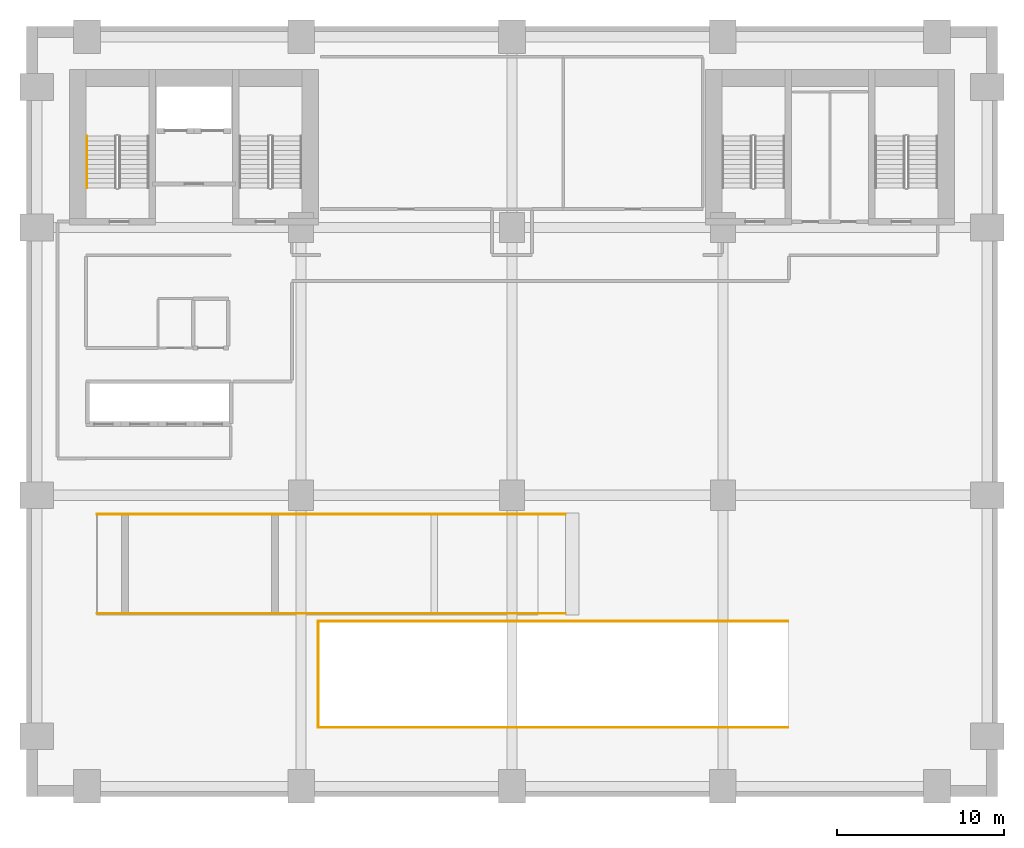
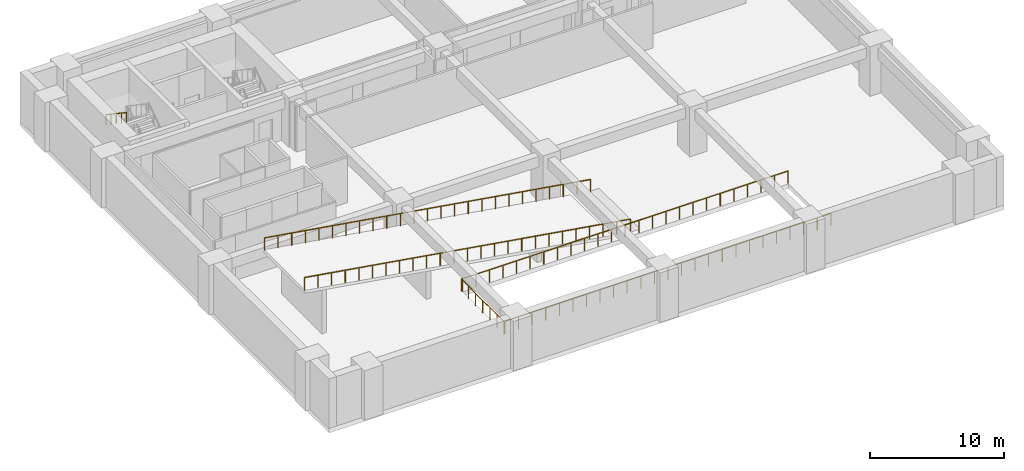
# One storey, part 4 of 6: 6 railings.
"""IFC4 building model written with IfcOpenShell, lengths in metres."""

from ifc_helpers import new_model, si_unit, direction, frame, origin, origin_2d, place, context, subcontext, project, spatial, circle, extrude, material, type_object, element, save


model = new_model("IFC4")

# Units and contexts
model_context = context("Model", 3, precision=1e-05, world=origin(), true_north=direction((0.0, 1.0)))
body_context = subcontext(model_context, "Body", "Model", "MODEL_VIEW")
ifc_project = project(units=[si_unit("LENGTHUNIT", "METRE"), si_unit("AREAUNIT", "SQUARE_METRE"), si_unit("VOLUMEUNIT", "CUBIC_METRE"), si_unit("PLANEANGLEUNIT", "RADIAN"), si_unit("MASSUNIT", "GRAM", prefix="KILO")], contexts=[model_context])

# Site, building, storey
site_placement = place(None, origin())
site = spatial("IfcSite", under=ifc_project, at=site_placement, CompositionType="ELEMENT")
building_placement = place(site_placement, origin())
building = spatial("IfcBuilding", under=site, at=building_placement, Name="Sulina Concourse Tower", CompositionType="ELEMENT")
storey_placement = place(building_placement, frame((0.0, 0.0, -4.5)))
storey = spatial("IfcBuildingStorey", under=building, at=storey_placement, Name="B1", CompositionType="ELEMENT", Elevation=-4.5)

# Railings
ifc_material_1 = material(Name="Galvanised steel railing", Category="steel")
railing_type_1 = type_object("IfcRailingType", Name="Core Stair Steel Guardrail 1150mm", PredefinedType="GUARDRAIL", material=ifc_material_1)
railing_1_placement = place(storey_placement, frame((32.199951171875, 10.929931640625, 0.0)))
element("IfcRailing", 1, at=railing_1_placement, inside=storey, type_object=railing_type_1, Name="RMP-VEH-B1 ramp railing 1", PredefinedType="GUARDRAIL", context=body_context, shape_type="SweptSolid", body=[
    extrude(circle(Radius=0.02392578125, at=origin_2d()), frame((0.0, 0.0, 1.1259765625), z_axis=(-0.987330371277, 0.0, 0.158678095384), x_axis=(0.0, -1.0, 0.0)), (0.0, 0.0, 1.0), 28.359375),
    extrude(circle(Radius=0.02099609375, at=origin_2d()), origin(), (0.0, 0.0, 1.0), 1.101806640625),
    extrude(circle(Radius=0.02099609375, at=origin_2d()), frame((-1.166748046875, 0.0, 0.1875)), (0.0, 0.0, 1.0), 1.101806640625),
    extrude(circle(Radius=0.02099609375, at=origin_2d()), frame((-2.333251953125, 0.0, 0.375)), (0.0, 0.0, 1.0), 1.101806640625),
    extrude(circle(Radius=0.02099609375, at=origin_2d()), frame((-3.5, 0.0, 0.5625)), (0.0, 0.0, 1.0), 1.101806640625),
    extrude(circle(Radius=0.02099609375, at=origin_2d()), frame((-4.666748046875, 0.0, 0.75)), (0.0, 0.0, 1.0), 1.101806640625),
    extrude(circle(Radius=0.02099609375, at=origin_2d()), frame((-5.833251953125, 0.0, 0.9375)), (0.0, 0.0, 1.0), 1.101806640625),
    extrude(circle(Radius=0.02099609375, at=origin_2d()), frame((-7.0, 0.0, 1.125)), (0.0, 0.0, 1.0), 1.101806640625),
    extrude(circle(Radius=0.02099609375, at=origin_2d()), frame((-8.166748046875, 0.0, 1.3125)), (0.0, 0.0, 1.0), 1.101806640625),
    extrude(circle(Radius=0.02099609375, at=origin_2d()), frame((-9.333251953125, 0.0, 1.5)), (0.0, 0.0, 1.0), 1.101806640625),
    extrude(circle(Radius=0.02099609375, at=origin_2d()), frame((-10.5, 0.0, 1.6875)), (0.0, 0.0, 1.0), 1.101806640625),
    extrude(circle(Radius=0.02099609375, at=origin_2d()), frame((-11.666748046875, 0.0, 1.875)), (0.0, 0.0, 1.0), 1.101806640625),
    extrude(circle(Radius=0.02099609375, at=origin_2d()), frame((-12.833251953125, 0.0, 2.0625)), (0.0, 0.0, 1.0), 1.101806640625),
    extrude(circle(Radius=0.02099609375, at=origin_2d()), frame((-14.0, 0.0, 2.25)), (0.0, 0.0, 1.0), 1.101806640625),
    extrude(circle(Radius=0.02099609375, at=origin_2d()), frame((-15.166748046875, 0.0, 2.4375)), (0.0, 0.0, 1.0), 1.101806640625),
    extrude(circle(Radius=0.02099609375, at=origin_2d()), frame((-16.333251953125, 0.0, 2.625)), (0.0, 0.0, 1.0), 1.101806640625),
    extrude(circle(Radius=0.02099609375, at=origin_2d()), frame((-17.5, 0.0, 2.8125)), (0.0, 0.0, 1.0), 1.101806640625),
    extrude(circle(Radius=0.02099609375, at=origin_2d()), frame((-18.666748046875, 0.0, 3.0)), (0.0, 0.0, 1.0), 1.101806640625),
    extrude(circle(Radius=0.02099609375, at=origin_2d()), frame((-19.833251953125, 0.0, 3.1875)), (0.0, 0.0, 1.0), 1.101806640625),
    extrude(circle(Radius=0.02099609375, at=origin_2d()), frame((-21.0, 0.0, 3.375)), (0.0, 0.0, 1.0), 1.101806640625),
    extrude(circle(Radius=0.02099609375, at=origin_2d()), frame((-22.166748046875, 0.0, 3.5625)), (0.0, 0.0, 1.0), 1.101806640625),
    extrude(circle(Radius=0.02099609375, at=origin_2d()), frame((-23.333251953125, 0.0, 3.75)), (0.0, 0.0, 1.0), 1.101806640625),
    extrude(circle(Radius=0.02099609375, at=origin_2d()), frame((-24.5, 0.0, 3.9375)), (0.0, 0.0, 1.0), 1.101806640625),
    extrude(circle(Radius=0.02099609375, at=origin_2d()), frame((-25.666748046875, 0.0, 4.125)), (0.0, 0.0, 1.0), 1.101806640625),
    extrude(circle(Radius=0.02099609375, at=origin_2d()), frame((-26.833251953125, 0.0, 4.3125)), (0.0, 0.0, 1.0), 1.101806640625),
    extrude(circle(Radius=0.02099609375, at=origin_2d()), frame((-28.0, 0.0, 4.5)), (0.0, 0.0, 1.0), 1.101806640625),
])
railing_2_placement = place(storey_placement, frame((32.199951171875, 16.8701171875, 0.0)))
element("IfcRailing", 2, at=railing_2_placement, inside=storey, type_object=railing_type_1, Name="RMP-VEH-B1 ramp railing 2", PredefinedType="GUARDRAIL", context=body_context, shape_type="SweptSolid", body=[
    extrude(circle(Radius=0.02392578125, at=origin_2d()), frame((0.0, 0.0, 1.1259765625), z_axis=(-0.987330371277, 0.0, 0.158678095384), x_axis=(0.0, -1.0, 0.0)), (0.0, 0.0, 1.0), 28.359375),
    extrude(circle(Radius=0.02099609375, at=origin_2d()), origin(), (0.0, 0.0, 1.0), 1.101806640625),
    extrude(circle(Radius=0.02099609375, at=origin_2d()), frame((-1.166748046875, 0.0, 0.1875)), (0.0, 0.0, 1.0), 1.101806640625),
    extrude(circle(Radius=0.02099609375, at=origin_2d()), frame((-2.333251953125, 0.0, 0.375)), (0.0, 0.0, 1.0), 1.101806640625),
    extrude(circle(Radius=0.02099609375, at=origin_2d()), frame((-3.5, 0.0, 0.5625)), (0.0, 0.0, 1.0), 1.101806640625),
    extrude(circle(Radius=0.02099609375, at=origin_2d()), frame((-4.666748046875, 0.0, 0.75)), (0.0, 0.0, 1.0), 1.101806640625),
    extrude(circle(Radius=0.02099609375, at=origin_2d()), frame((-5.833251953125, 0.0, 0.9375)), (0.0, 0.0, 1.0), 1.101806640625),
    extrude(circle(Radius=0.02099609375, at=origin_2d()), frame((-7.0, 0.0, 1.125)), (0.0, 0.0, 1.0), 1.101806640625),
    extrude(circle(Radius=0.02099609375, at=origin_2d()), frame((-8.166748046875, 0.0, 1.3125)), (0.0, 0.0, 1.0), 1.101806640625),
    extrude(circle(Radius=0.02099609375, at=origin_2d()), frame((-9.333251953125, 0.0, 1.5)), (0.0, 0.0, 1.0), 1.101806640625),
    extrude(circle(Radius=0.02099609375, at=origin_2d()), frame((-10.5, 0.0, 1.6875)), (0.0, 0.0, 1.0), 1.101806640625),
    extrude(circle(Radius=0.02099609375, at=origin_2d()), frame((-11.666748046875, 0.0, 1.875)), (0.0, 0.0, 1.0), 1.101806640625),
    extrude(circle(Radius=0.02099609375, at=origin_2d()), frame((-12.833251953125, 0.0, 2.0625)), (0.0, 0.0, 1.0), 1.101806640625),
    extrude(circle(Radius=0.02099609375, at=origin_2d()), frame((-14.0, 0.0, 2.25)), (0.0, 0.0, 1.0), 1.101806640625),
    extrude(circle(Radius=0.02099609375, at=origin_2d()), frame((-15.166748046875, 0.0, 2.4375)), (0.0, 0.0, 1.0), 1.101806640625),
    extrude(circle(Radius=0.02099609375, at=origin_2d()), frame((-16.333251953125, 0.0, 2.625)), (0.0, 0.0, 1.0), 1.101806640625),
    extrude(circle(Radius=0.02099609375, at=origin_2d()), frame((-17.5, 0.0, 2.8125)), (0.0, 0.0, 1.0), 1.101806640625),
    extrude(circle(Radius=0.02099609375, at=origin_2d()), frame((-18.666748046875, 0.0, 3.0)), (0.0, 0.0, 1.0), 1.101806640625),
    extrude(circle(Radius=0.02099609375, at=origin_2d()), frame((-19.833251953125, 0.0, 3.1875)), (0.0, 0.0, 1.0), 1.101806640625),
    extrude(circle(Radius=0.02099609375, at=origin_2d()), frame((-21.0, 0.0, 3.375)), (0.0, 0.0, 1.0), 1.101806640625),
    extrude(circle(Radius=0.02099609375, at=origin_2d()), frame((-22.166748046875, 0.0, 3.5625)), (0.0, 0.0, 1.0), 1.101806640625),
    extrude(circle(Radius=0.02099609375, at=origin_2d()), frame((-23.333251953125, 0.0, 3.75)), (0.0, 0.0, 1.0), 1.101806640625),
    extrude(circle(Radius=0.02099609375, at=origin_2d()), frame((-24.5, 0.0, 3.9375)), (0.0, 0.0, 1.0), 1.101806640625),
    extrude(circle(Radius=0.02099609375, at=origin_2d()), frame((-25.666748046875, 0.0, 4.125)), (0.0, 0.0, 1.0), 1.101806640625),
    extrude(circle(Radius=0.02099609375, at=origin_2d()), frame((-26.833251953125, 0.0, 4.3125)), (0.0, 0.0, 1.0), 1.101806640625),
    extrude(circle(Radius=0.02099609375, at=origin_2d()), frame((-28.0, 0.0, 4.5)), (0.0, 0.0, 1.0), 1.101806640625),
])
railing_3_placement = place(storey_placement, frame((17.5, 4.1201171875, 0.0)))
element("IfcRailing", 3, at=railing_3_placement, inside=storey, type_object=railing_type_1, Name="B1 ramp well edge guard RS", PredefinedType="GUARDRAIL", context=body_context, shape_type="SweptSolid", body=[
    extrude(circle(Radius=0.02392578125, at=origin_2d()), frame((0.0, 0.0, 1.1259765625), z_axis=(1.0, 0.0, 0.0), x_axis=(0.0, 1.0, 0.0)), (0.0, 0.0, 1.0), 28.0),
    extrude(circle(Radius=0.02099609375, at=origin_2d()), origin(), (0.0, 0.0, 1.0), 1.101806640625),
    extrude(circle(Radius=0.02099609375, at=origin_2d()), frame((1.166748046875, 0.0, 0.0)), (0.0, 0.0, 1.0), 1.101806640625),
    extrude(circle(Radius=0.02099609375, at=origin_2d()), frame((2.333251953125, 0.0, 0.0)), (0.0, 0.0, 1.0), 1.101806640625),
    extrude(circle(Radius=0.02099609375, at=origin_2d()), frame((3.5, 0.0, 0.0)), (0.0, 0.0, 1.0), 1.101806640625),
    extrude(circle(Radius=0.02099609375, at=origin_2d()), frame((4.666748046875, 0.0, 0.0)), (0.0, 0.0, 1.0), 1.101806640625),
    extrude(circle(Radius=0.02099609375, at=origin_2d()), frame((5.833251953125, 0.0, 0.0)), (0.0, 0.0, 1.0), 1.101806640625),
    extrude(circle(Radius=0.02099609375, at=origin_2d()), frame((7.0, 0.0, 0.0)), (0.0, 0.0, 1.0), 1.101806640625),
    extrude(circle(Radius=0.02099609375, at=origin_2d()), frame((8.166748046875, 0.0, 0.0)), (0.0, 0.0, 1.0), 1.101806640625),
    extrude(circle(Radius=0.02099609375, at=origin_2d()), frame((9.333251953125, 0.0, 0.0)), (0.0, 0.0, 1.0), 1.101806640625),
    extrude(circle(Radius=0.02099609375, at=origin_2d()), frame((10.5, 0.0, 0.0)), (0.0, 0.0, 1.0), 1.101806640625),
    extrude(circle(Radius=0.02099609375, at=origin_2d()), frame((11.666748046875, 0.0, 0.0)), (0.0, 0.0, 1.0), 1.101806640625),
    extrude(circle(Radius=0.02099609375, at=origin_2d()), frame((12.833251953125, 0.0, 0.0)), (0.0, 0.0, 1.0), 1.101806640625),
    extrude(circle(Radius=0.02099609375, at=origin_2d()), frame((14.0, 0.0, 0.0)), (0.0, 0.0, 1.0), 1.101806640625),
    extrude(circle(Radius=0.02099609375, at=origin_2d()), frame((15.166748046875, 0.0, 0.0)), (0.0, 0.0, 1.0), 1.101806640625),
    extrude(circle(Radius=0.02099609375, at=origin_2d()), frame((16.333251953125, 0.0, 0.0)), (0.0, 0.0, 1.0), 1.101806640625),
    extrude(circle(Radius=0.02099609375, at=origin_2d()), frame((17.5, 0.0, 0.0)), (0.0, 0.0, 1.0), 1.101806640625),
    extrude(circle(Radius=0.02099609375, at=origin_2d()), frame((18.666748046875, 0.0, 0.0)), (0.0, 0.0, 1.0), 1.101806640625),
    extrude(circle(Radius=0.02099609375, at=origin_2d()), frame((19.833251953125, 0.0, 0.0)), (0.0, 0.0, 1.0), 1.101806640625),
    extrude(circle(Radius=0.02099609375, at=origin_2d()), frame((21.0, 0.0, 0.0)), (0.0, 0.0, 1.0), 1.101806640625),
    extrude(circle(Radius=0.02099609375, at=origin_2d()), frame((22.166748046875, 0.0, 0.0)), (0.0, 0.0, 1.0), 1.101806640625),
    extrude(circle(Radius=0.02099609375, at=origin_2d()), frame((23.333251953125, 0.0, 0.0)), (0.0, 0.0, 1.0), 1.101806640625),
    extrude(circle(Radius=0.02099609375, at=origin_2d()), frame((24.5, 0.0, 0.0)), (0.0, 0.0, 1.0), 1.101806640625),
    extrude(circle(Radius=0.02099609375, at=origin_2d()), frame((25.666748046875, 0.0, 0.0)), (0.0, 0.0, 1.0), 1.101806640625),
    extrude(circle(Radius=0.02099609375, at=origin_2d()), frame((26.833251953125, 0.0, 0.0)), (0.0, 0.0, 1.0), 1.101806640625),
    extrude(circle(Radius=0.02099609375, at=origin_2d()), frame((28.0, 0.0, 0.0)), (0.0, 0.0, 1.0), 1.101806640625),
])
railing_4_placement = place(storey_placement, frame((17.5, 10.47998046875, 0.0)))
element("IfcRailing", 4, at=railing_4_placement, inside=storey, type_object=railing_type_1, Name="B1 ramp well edge guard RN", PredefinedType="GUARDRAIL", context=body_context, shape_type="SweptSolid", body=[
    extrude(circle(Radius=0.02392578125, at=origin_2d()), frame((0.0, 0.0, 1.1259765625), z_axis=(1.0, 0.0, 0.0), x_axis=(0.0, 1.0, 0.0)), (0.0, 0.0, 1.0), 28.0),
    extrude(circle(Radius=0.02099609375, at=origin_2d()), origin(), (0.0, 0.0, 1.0), 1.101806640625),
    extrude(circle(Radius=0.02099609375, at=origin_2d()), frame((1.166748046875, 0.0, 0.0)), (0.0, 0.0, 1.0), 1.101806640625),
    extrude(circle(Radius=0.02099609375, at=origin_2d()), frame((2.333251953125, 0.0, 0.0)), (0.0, 0.0, 1.0), 1.101806640625),
    extrude(circle(Radius=0.02099609375, at=origin_2d()), frame((3.5, 0.0, 0.0)), (0.0, 0.0, 1.0), 1.101806640625),
    extrude(circle(Radius=0.02099609375, at=origin_2d()), frame((4.666748046875, 0.0, 0.0)), (0.0, 0.0, 1.0), 1.101806640625),
    extrude(circle(Radius=0.02099609375, at=origin_2d()), frame((5.833251953125, 0.0, 0.0)), (0.0, 0.0, 1.0), 1.101806640625),
    extrude(circle(Radius=0.02099609375, at=origin_2d()), frame((7.0, 0.0, 0.0)), (0.0, 0.0, 1.0), 1.101806640625),
    extrude(circle(Radius=0.02099609375, at=origin_2d()), frame((8.166748046875, 0.0, 0.0)), (0.0, 0.0, 1.0), 1.101806640625),
    extrude(circle(Radius=0.02099609375, at=origin_2d()), frame((9.333251953125, 0.0, 0.0)), (0.0, 0.0, 1.0), 1.101806640625),
    extrude(circle(Radius=0.02099609375, at=origin_2d()), frame((10.5, 0.0, 0.0)), (0.0, 0.0, 1.0), 1.101806640625),
    extrude(circle(Radius=0.02099609375, at=origin_2d()), frame((11.666748046875, 0.0, 0.0)), (0.0, 0.0, 1.0), 1.101806640625),
    extrude(circle(Radius=0.02099609375, at=origin_2d()), frame((12.833251953125, 0.0, 0.0)), (0.0, 0.0, 1.0), 1.101806640625),
    extrude(circle(Radius=0.02099609375, at=origin_2d()), frame((14.0, 0.0, 0.0)), (0.0, 0.0, 1.0), 1.101806640625),
    extrude(circle(Radius=0.02099609375, at=origin_2d()), frame((15.166748046875, 0.0, 0.0)), (0.0, 0.0, 1.0), 1.101806640625),
    extrude(circle(Radius=0.02099609375, at=origin_2d()), frame((16.333251953125, 0.0, 0.0)), (0.0, 0.0, 1.0), 1.101806640625),
    extrude(circle(Radius=0.02099609375, at=origin_2d()), frame((17.5, 0.0, 0.0)), (0.0, 0.0, 1.0), 1.101806640625),
    extrude(circle(Radius=0.02099609375, at=origin_2d()), frame((18.666748046875, 0.0, 0.0)), (0.0, 0.0, 1.0), 1.101806640625),
    extrude(circle(Radius=0.02099609375, at=origin_2d()), frame((19.833251953125, 0.0, 0.0)), (0.0, 0.0, 1.0), 1.101806640625),
    extrude(circle(Radius=0.02099609375, at=origin_2d()), frame((21.0, 0.0, 0.0)), (0.0, 0.0, 1.0), 1.101806640625),
    extrude(circle(Radius=0.02099609375, at=origin_2d()), frame((22.166748046875, 0.0, 0.0)), (0.0, 0.0, 1.0), 1.101806640625),
    extrude(circle(Radius=0.02099609375, at=origin_2d()), frame((23.333251953125, 0.0, 0.0)), (0.0, 0.0, 1.0), 1.101806640625),
    extrude(circle(Radius=0.02099609375, at=origin_2d()), frame((24.5, 0.0, 0.0)), (0.0, 0.0, 1.0), 1.101806640625),
    extrude(circle(Radius=0.02099609375, at=origin_2d()), frame((25.666748046875, 0.0, 0.0)), (0.0, 0.0, 1.0), 1.101806640625),
    extrude(circle(Radius=0.02099609375, at=origin_2d()), frame((26.833251953125, 0.0, 0.0)), (0.0, 0.0, 1.0), 1.101806640625),
    extrude(circle(Radius=0.02099609375, at=origin_2d()), frame((28.0, 0.0, 0.0)), (0.0, 0.0, 1.0), 1.101806640625),
])
railing_5_placement = place(storey_placement, frame((17.419921875, 4.1201171875, 0.0)))
element("IfcRailing", 5, at=railing_5_placement, inside=storey, type_object=railing_type_1, Name="B1 ramp well edge guard REND", PredefinedType="GUARDRAIL", context=body_context, shape_type="SweptSolid", body=[
    extrude(circle(Radius=0.02392578125, at=origin_2d()), frame((0.0, 0.0, 1.1259765625), z_axis=(0.0, 1.0, 0.0), x_axis=(-1.0, 0.0, 0.0)), (0.0, 0.0, 1.0), 6.35986328125),
    extrude(circle(Radius=0.02099609375, at=origin_2d()), origin(), (0.0, 0.0, 1.0), 1.101806640625),
    extrude(circle(Radius=0.02099609375, at=origin_2d()), frame((0.0, 1.06005859375, 0.0)), (0.0, 0.0, 1.0), 1.101806640625),
    extrude(circle(Radius=0.02099609375, at=origin_2d()), frame((0.0, 2.119873046875, 0.0)), (0.0, 0.0, 1.0), 1.101806640625),
    extrude(circle(Radius=0.02099609375, at=origin_2d()), frame((0.0, 3.179931640625, 0.0)), (0.0, 0.0, 1.0), 1.101806640625),
    extrude(circle(Radius=0.02099609375, at=origin_2d()), frame((0.0, 4.239990234375, 0.0)), (0.0, 0.0, 1.0), 1.101806640625),
    extrude(circle(Radius=0.02099609375, at=origin_2d()), frame((0.0, 5.2998046875, 0.0)), (0.0, 0.0, 1.0), 1.101806640625),
    extrude(circle(Radius=0.02099609375, at=origin_2d()), frame((0.0, 6.35986328125, 0.0)), (0.0, 0.0, 1.0), 1.101806640625),
])
ifc_material_2 = material(Name="Galvanised steel railing", Category="steel")
railing_type_2 = type_object("IfcRailingType", Name="Stair Wall Steel Handrail 920mm", PredefinedType="HANDRAIL", material=ifc_material_2)
railing_6_placement = place(storey_placement, frame((3.60498046875, 39.455078125, 2.4375)))
element("IfcRailing", 6, at=railing_6_placement, inside=storey, type_object=railing_type_2, Name="B1 ST-1 stair handrail 2", PredefinedType="HANDRAIL", context=body_context, shape_type="SweptSolid", body=[
    extrude(circle(Radius=0.02392578125, at=origin_2d()), frame((0.0, 0.0, 0.89599609375), z_axis=(0.0, -0.830913701846, 0.55640131208), x_axis=(1.0, 0.0, 0.0)), (0.0, 0.0, 1.0), 3.706787109375),
    extrude(circle(Radius=0.02099609375, at=origin_2d()), origin(), (0.0, 0.0, 1.0), 0.871826171875),
    extrude(circle(Radius=0.02099609375, at=origin_2d()), frame((0.0, -0.77001953125, 0.515625)), (0.0, 0.0, 1.0), 0.871826171875),
    extrude(circle(Radius=0.02099609375, at=origin_2d()), frame((0.0, -1.5400390625, 1.03125)), (0.0, 0.0, 1.0), 0.871826171875),
    extrude(circle(Radius=0.02099609375, at=origin_2d()), frame((0.0, -2.31005859375, 1.546875)), (0.0, 0.0, 1.0), 0.871826171875),
    extrude(circle(Radius=0.02099609375, at=origin_2d()), frame((0.0, -3.080078125, 2.0625)), (0.0, 0.0, 1.0), 0.871826171875),
])

save(model, "model.ifc")
